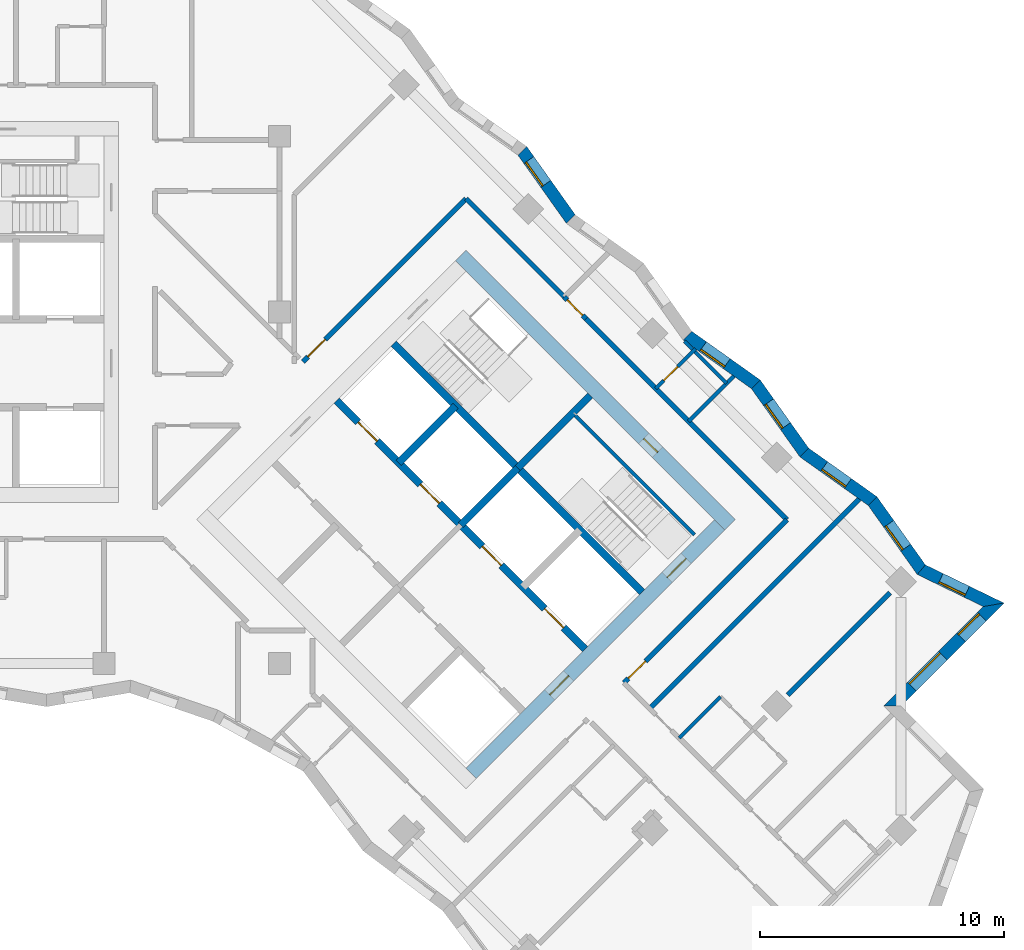
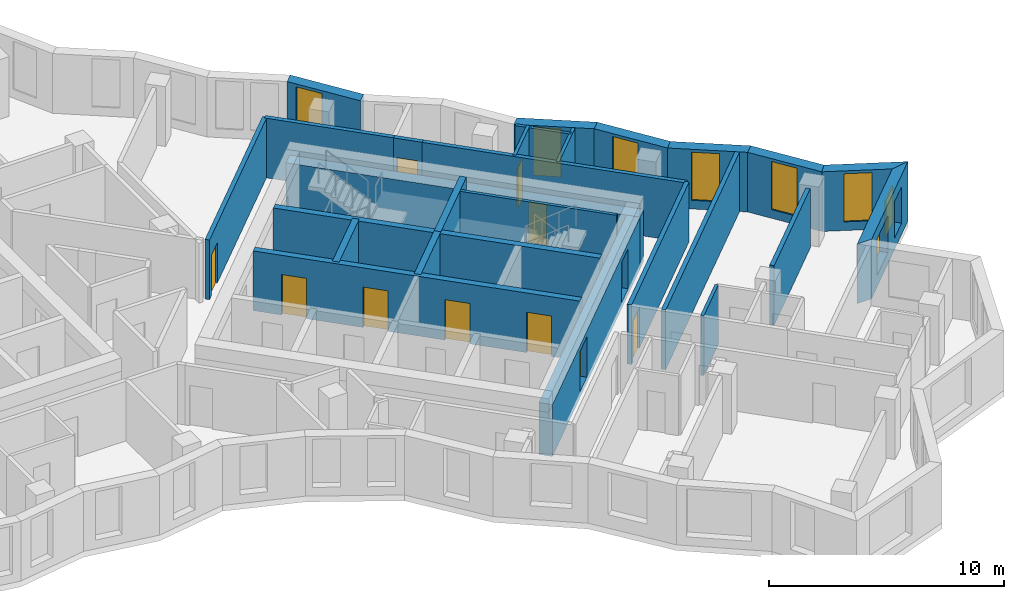
# One storey, part 9 of 12: 27 walls, 11 doors, 8 windows, 19 openings.
"""IFC4 building model written with IfcOpenShell, lengths in metres."""

from ifc_helpers import new_model, si_unit, direction, frame, frame_2d, origin, place, context, subcontext, project, spatial, polyline, rectangle, outline, extrude, material, layer, layer_set, type_object, element, fill, save


model = new_model("IFC4")

# Units and contexts
model_context = context("Model", 3, precision=1e-05, world=origin(), true_north=direction((0.0, 1.0)))
body_context = subcontext(model_context, "Body", "Model", "MODEL_VIEW")
ifc_project = project(units=[si_unit("LENGTHUNIT", "METRE"), si_unit("AREAUNIT", "SQUARE_METRE"), si_unit("VOLUMEUNIT", "CUBIC_METRE"), si_unit("PLANEANGLEUNIT", "RADIAN"), si_unit("MASSUNIT", "GRAM", prefix="KILO")], contexts=[model_context])

# Site, building, storey
site_placement = place(None, origin())
site = spatial("IfcSite", under=ifc_project, at=site_placement, CompositionType="ELEMENT")
building_placement = place(site_placement, origin())
building = spatial("IfcBuilding", under=site, at=building_placement, Name="Windrow Commons", CompositionType="ELEMENT")
storey_placement = place(building_placement, frame((0.0, 0.0, 166.0)))
storey = spatial("IfcBuildingStorey", under=building, at=storey_placement, Name="L45", CompositionType="ELEMENT", Elevation=166.0)

# Wall, openings, windows
ifc_material_1 = material(Name="Brick masonry, red clay brick", Category="masonry")
ifc_layer_1 = layer(ifc_material_1, 0.5)
ifc_layer_set_1 = layer_set([ifc_layer_1], Name="Brick facade wall 500")
wall_type_1 = type_object("IfcWallType", Name="Brick facade wall 500", PredefinedType="SOLIDWALL", material=ifc_layer_set_1)
wall_1_placement = place(storey_placement, frame((104.3022, 41.453, 0.0), z_axis=(0.0, 0.0, 1.0), x_axis=(0.7071238144, 0.7070897476, 0.0)))
wall_1 = element("IfcWall", 1, at=wall_1_placement, inside=storey, type_object=wall_type_1, Name="Brick facade wall L45 6", PredefinedType="SOLIDWALL", context=body_context, shape_type="SweptSolid", body=[
    extrude(outline(polyline([(0.25, -0.25), (6.2221, -0.25), (5.5196, 0.25), (-0.25, 0.25), (0.25, -0.25)])), origin(), (0.0, 0.0, 1.0), 3.1),
])
opening_1_placement = place(wall_1_placement, frame((1.125, 0.0, 0.6)))
opening_1 = element("IfcOpeningElement", 2, at=opening_1_placement, cuts=wall_1, Name="Opening W1L", PredefinedType="OPENING", context=body_context, shape_type="SweptSolid", body=[
    extrude(rectangle(XDim=1.8, YDim=1.9, at=frame_2d((0.9, 0.95))), frame((0.0, 0.26, 0.0), z_axis=(0.0, -1.0, 0.0), x_axis=(1.0, 0.0, 0.0)), (0.0, 0.0, 1.0), 0.52),
])
opening_2_placement = place(wall_1_placement, frame((3.9848, 0.0, 0.6)))
opening_2 = element("IfcOpeningElement", 3, at=opening_2_placement, cuts=wall_1, Name="Opening W7G", PredefinedType="OPENING", context=body_context, shape_type="SweptSolid", body=[
    extrude(rectangle(XDim=1.2, YDim=1.9, at=frame_2d((0.6, 0.95))), frame((0.0, 0.26, 0.0), z_axis=(0.0, -1.0, 0.0), x_axis=(1.0, 0.0, 0.0)), (0.0, 0.0, 1.0), 0.52),
])
ifc_material_2 = material(Name="Clear float glass in anodised aluminium frame", Category="aluminium")
window_type_1 = type_object("IfcWindowType", Name="Window W1L bedroom 1800x1900", PartitioningType="SINGLE_PANEL", PredefinedType="WINDOW", material=ifc_material_2)
window_1_placement = place(opening_1_placement, origin())
window_1 = element("IfcWindow", 4, at=window_1_placement, inside=storey, type_object=window_type_1, Name="Window L45 6.1", OverallHeight=1.9, OverallWidth=1.8, PartitioningType="SINGLE_PANEL", PredefinedType="WINDOW", context=body_context, shape_type="SweptSolid", body=[
    extrude(rectangle(XDim=1.8, YDim=1.9, at=frame_2d((0.9, 0.95))), frame((0.0, 0.18, 0.0), z_axis=(0.0, -1.0, 0.0), x_axis=(1.0, 0.0, 0.0)), (0.0, 0.0, 1.0), 0.06),
])
fill(opening_1, window_1)
ifc_material_3 = material(Name="Clear float glass in anodised aluminium frame", Category="aluminium")
window_type_2 = type_object("IfcWindowType", Name="Window W7 notch 1200x1900", PartitioningType="SINGLE_PANEL", PredefinedType="WINDOW", material=ifc_material_3)
window_2_placement = place(opening_2_placement, origin())
window_2 = element("IfcWindow", 5, at=window_2_placement, inside=storey, type_object=window_type_2, Name="Window L45 6.2", OverallHeight=1.9, OverallWidth=1.2, PartitioningType="SINGLE_PANEL", PredefinedType="WINDOW", context=body_context, shape_type="SweptSolid", body=[
    extrude(rectangle(XDim=1.2, YDim=1.9, at=frame_2d((0.6, 0.95))), frame((0.0, 0.18, 0.0), z_axis=(0.0, -1.0, 0.0), x_axis=(1.0, 0.0, 0.0)), (0.0, 0.0, 1.0), 0.06),
])
fill(opening_2, window_2)

# Wall, opening, window
wall_2_placement = place(storey_placement, frame((108.4536, 45.6042, 0.0), z_axis=(0.0, 0.0, 1.0), x_axis=(-0.8996561364, 0.4365991711, 0.0)))
wall_2 = element("IfcWall", 6, at=wall_2_placement, inside=storey, type_object=wall_type_1, Name="Brick facade wall L45 7", PredefinedType="SOLIDWALL", context=body_context, shape_type="SweptSolid", body=[
    extrude(outline(polyline([(-0.3512, -0.25), (3.228, -0.25), (3.3559, 0.25), (0.3512, 0.25), (-0.3512, -0.25)])), origin(), (0.0, 0.0, 1.0), 3.1),
])
opening_3_placement = place(wall_2_placement, frame((1.2216, 0.0, 0.45)))
opening_3 = element("IfcOpeningElement", 7, at=opening_3_placement, cuts=wall_2, Name="Opening W7E", PredefinedType="OPENING", context=body_context, shape_type="SweptSolid", body=[
    extrude(rectangle(XDim=1.2, YDim=2.5, at=frame_2d((0.6, 1.25))), frame((0.0, 0.26, 0.0), z_axis=(0.0, -1.0, 0.0), x_axis=(1.0, 0.0, 0.0)), (0.0, 0.0, 1.0), 0.52),
])
ifc_material_4 = material(Name="Clear float glass in anodised aluminium frame", Category="aluminium")
window_type_3 = type_object("IfcWindowType", Name="Window W7 notch 1200x2500", PartitioningType="SINGLE_PANEL", PredefinedType="WINDOW", material=ifc_material_4)
window_3_placement = place(opening_3_placement, origin())
window_3 = element("IfcWindow", 8, at=window_3_placement, inside=storey, type_object=window_type_3, Name="Window L45 7.1", OverallHeight=2.5, OverallWidth=1.2, PartitioningType="SINGLE_PANEL", PredefinedType="WINDOW", context=body_context, shape_type="SweptSolid", body=[
    extrude(rectangle(XDim=1.2, YDim=2.5, at=frame_2d((0.6, 1.25))), frame((0.0, 0.18, 0.0), z_axis=(0.0, -1.0, 0.0), x_axis=(1.0, 0.0, 0.0)), (0.0, 0.0, 1.0), 0.06),
])
fill(opening_3, window_3)

wall_3_placement = place(storey_placement, frame((105.4919, 47.0415, 0.0), z_axis=(0.0, 0.0, 1.0), x_axis=(-0.5792714747, 0.8151346874, 0.0)))
wall_3 = element("IfcWall", 9, at=wall_3_placement, inside=storey, type_object=wall_type_1, Name="Brick facade wall L45 8", PredefinedType="SOLIDWALL", context=body_context, shape_type="SweptSolid", body=[
    extrude(outline(polyline([(0.064, -0.25), (3.4939, -0.25), (3.4093, 0.25), (-0.064, 0.25), (0.064, -0.25)])), origin(), (0.0, 0.0, 1.0), 3.1),
])
opening_4_placement = place(wall_3_placement, frame((1.1047, 0.0, 0.45)))
opening_4 = element("IfcOpeningElement", 10, at=opening_4_placement, cuts=wall_3, Name="Opening W7E", PredefinedType="OPENING", context=body_context, shape_type="SweptSolid", body=[
    extrude(rectangle(XDim=1.2, YDim=2.5, at=frame_2d((0.6, 1.25))), frame((0.0, 0.26, 0.0), z_axis=(0.0, -1.0, 0.0), x_axis=(1.0, 0.0, 0.0)), (0.0, 0.0, 1.0), 0.52),
])
window_4_placement = place(opening_4_placement, origin())
window_4 = element("IfcWindow", 11, at=window_4_placement, inside=storey, type_object=window_type_3, Name="Window L45 8.1", OverallHeight=2.5, OverallWidth=1.2, PartitioningType="SINGLE_PANEL", PredefinedType="WINDOW", context=body_context, shape_type="SweptSolid", body=[
    extrude(rectangle(XDim=1.2, YDim=2.5, at=frame_2d((0.6, 1.25))), frame((0.0, 0.18, 0.0), z_axis=(0.0, -1.0, 0.0), x_axis=(1.0, 0.0, 0.0)), (0.0, 0.0, 1.0), 0.06),
])
fill(opening_4, window_4)

wall_4_placement = place(storey_placement, frame((103.4925, 49.855, 0.0), z_axis=(0.0, 0.0, 1.0), x_axis=(-0.8151376585, 0.5792672938, 0.0)))
wall_4 = element("IfcWall", 12, at=wall_4_placement, inside=storey, type_object=wall_type_1, Name="Brick facade wall L45 9", PredefinedType="SOLIDWALL", context=body_context, shape_type="SweptSolid", body=[
    extrude(outline(polyline([(-0.0423, -0.25), (3.3876, -0.25), (3.4722, 0.25), (0.0423, 0.25), (-0.0423, -0.25)])), origin(), (0.0, 0.0, 1.0), 3.1),
])
opening_5_placement = place(wall_4_placement, frame((1.2362, 0.0, 0.45)))
opening_5 = element("IfcOpeningElement", 13, at=opening_5_placement, cuts=wall_4, Name="Opening W7E", PredefinedType="OPENING", context=body_context, shape_type="SweptSolid", body=[
    extrude(rectangle(XDim=1.2, YDim=2.5, at=frame_2d((0.6, 1.25))), frame((0.0, 0.26, 0.0), z_axis=(0.0, -1.0, 0.0), x_axis=(1.0, 0.0, 0.0)), (0.0, 0.0, 1.0), 0.52),
])
window_5_placement = place(opening_5_placement, origin())
window_5 = element("IfcWindow", 14, at=window_5_placement, inside=storey, type_object=window_type_3, Name="Window L45 9.1", OverallHeight=2.5, OverallWidth=1.2, PartitioningType="SINGLE_PANEL", PredefinedType="WINDOW", context=body_context, shape_type="SweptSolid", body=[
    extrude(rectangle(XDim=1.2, YDim=2.5, at=frame_2d((0.6, 1.25))), frame((0.0, 0.18, 0.0), z_axis=(0.0, -1.0, 0.0), x_axis=(1.0, 0.0, 0.0)), (0.0, 0.0, 1.0), 0.06),
])
fill(opening_5, window_5)

wall_5_placement = place(storey_placement, frame((100.6967, 51.8418, 0.0), z_axis=(0.0, 0.0, 1.0), x_axis=(-0.5792728992, 0.8151336751, 0.0)))
wall_5 = element("IfcWall", 15, at=wall_5_placement, inside=storey, type_object=wall_type_1, Name="Brick facade wall L45 10", PredefinedType="SOLIDWALL", context=body_context, shape_type="SweptSolid", body=[
    extrude(outline(polyline([(0.0423, -0.25), (3.4722, -0.25), (3.3876, 0.25), (-0.0423, 0.25), (0.0423, -0.25)])), origin(), (0.0, 0.0, 1.0), 3.1),
])
opening_6_placement = place(wall_5_placement, frame((1.3257, 0.0, 0.45)))
opening_6 = element("IfcOpeningElement", 16, at=opening_6_placement, cuts=wall_5, Name="Opening W7E", PredefinedType="OPENING", context=body_context, shape_type="SweptSolid", body=[
    extrude(rectangle(XDim=1.2, YDim=2.5, at=frame_2d((0.6, 1.25))), frame((0.0, 0.26, 0.0), z_axis=(0.0, -1.0, 0.0), x_axis=(1.0, 0.0, 0.0)), (0.0, 0.0, 1.0), 0.52),
])
window_6_placement = place(opening_6_placement, origin())
window_6 = element("IfcWindow", 17, at=window_6_placement, inside=storey, type_object=window_type_3, Name="Window L45 10.1", OverallHeight=2.5, OverallWidth=1.2, PartitioningType="SINGLE_PANEL", PredefinedType="WINDOW", context=body_context, shape_type="SweptSolid", body=[
    extrude(rectangle(XDim=1.2, YDim=2.5, at=frame_2d((0.6, 1.25))), frame((0.0, 0.18, 0.0), z_axis=(0.0, -1.0, 0.0), x_axis=(1.0, 0.0, 0.0)), (0.0, 0.0, 1.0), 0.06),
])
fill(opening_6, window_6)

wall_6_placement = place(storey_placement, frame((98.7098, 54.6377, 0.0), z_axis=(0.0, 0.0, 1.0), x_axis=(-0.8151376585, 0.5792672938, 0.0)))
wall_6 = element("IfcWall", 18, at=wall_6_placement, inside=storey, type_object=wall_type_1, Name="Brick facade wall L45 11", PredefinedType="SOLIDWALL", context=body_context, shape_type="SweptSolid", body=[
    extrude(outline(polyline([(-0.0423, -0.25), (3.3876, -0.25), (3.4722, 0.25), (0.0423, 0.25), (-0.0423, -0.25)])), origin(), (0.0, 0.0, 1.0), 3.1),
])
opening_7_placement = place(wall_6_placement, frame((1.4574, 0.0, 0.45)))
opening_7 = element("IfcOpeningElement", 19, at=opening_7_placement, cuts=wall_6, Name="Opening W7E", PredefinedType="OPENING", context=body_context, shape_type="SweptSolid", body=[
    extrude(rectangle(XDim=1.2, YDim=2.5, at=frame_2d((0.6, 1.25))), frame((0.0, 0.26, 0.0), z_axis=(0.0, -1.0, 0.0), x_axis=(1.0, 0.0, 0.0)), (0.0, 0.0, 1.0), 0.52),
])
window_7_placement = place(opening_7_placement, origin())
window_7 = element("IfcWindow", 20, at=window_7_placement, inside=storey, type_object=window_type_3, Name="Window L45 11.1", OverallHeight=2.5, OverallWidth=1.2, PartitioningType="SINGLE_PANEL", PredefinedType="WINDOW", context=body_context, shape_type="SweptSolid", body=[
    extrude(rectangle(XDim=1.2, YDim=2.5, at=frame_2d((0.6, 1.25))), frame((0.0, 0.18, 0.0), z_axis=(0.0, -1.0, 0.0), x_axis=(1.0, 0.0, 0.0)), (0.0, 0.0, 1.0), 0.06),
])
fill(opening_7, window_7)

wall_7_placement = place(storey_placement, frame((91.1313, 61.4072, 0.0), z_axis=(0.0, 0.0, 1.0), x_axis=(-0.5792728992, 0.8151336751, 0.0)))
wall_7 = element("IfcWall", 21, at=wall_7_placement, inside=storey, type_object=wall_type_1, Name="Brick facade wall L45 14", PredefinedType="SOLIDWALL", context=body_context, shape_type="SweptSolid", body=[
    extrude(outline(polyline([(0.0423, -0.25), (3.4722, -0.25), (3.3876, 0.25), (-0.0423, 0.25), (0.0423, -0.25)])), origin(), (0.0, 0.0, 1.0), 3.1),
])
opening_8_placement = place(wall_7_placement, frame((1.7681, 0.0, 0.45)))
opening_8 = element("IfcOpeningElement", 22, at=opening_8_placement, cuts=wall_7, Name="Opening W7E", PredefinedType="OPENING", context=body_context, shape_type="SweptSolid", body=[
    extrude(rectangle(XDim=1.2, YDim=2.5, at=frame_2d((0.6, 1.25))), frame((0.0, 0.26, 0.0), z_axis=(0.0, -1.0, 0.0), x_axis=(1.0, 0.0, 0.0)), (0.0, 0.0, 1.0), 0.52),
])
window_8_placement = place(opening_8_placement, origin())
window_8 = element("IfcWindow", 23, at=window_8_placement, inside=storey, type_object=window_type_3, Name="Window L45 14.1", OverallHeight=2.5, OverallWidth=1.2, PartitioningType="SINGLE_PANEL", PredefinedType="WINDOW", context=body_context, shape_type="SweptSolid", body=[
    extrude(rectangle(XDim=1.2, YDim=2.5, at=frame_2d((0.6, 1.25))), frame((0.0, 0.18, 0.0), z_axis=(0.0, -1.0, 0.0), x_axis=(1.0, 0.0, 0.0)), (0.0, 0.0, 1.0), 0.06),
])
fill(opening_8, window_8)

# Wall
ifc_material_5 = material(Name="Blockwork partition", Category="masonry")
ifc_layer_2 = layer(ifc_material_5, 0.2)
ifc_layer_set_2 = layer_set([ifc_layer_2], Name="IW-CORRIDOR-200")
wall_type_2 = type_object("IfcWallType", Name="IW-CORRIDOR-200", PredefinedType="PARTITIONING", material=ifc_layer_set_2)
wall_8_placement = place(storey_placement, frame((91.7551, 57.3171, 0.0), z_axis=(0.0, 0.0, 1.0), x_axis=(0.7071067812, -0.7071067812, 0.0)))
element("IfcWall", 24, at=wall_8_placement, inside=storey, type_object=wall_type_2, Name="W-L45-W007", PredefinedType="PARTITIONING", context=body_context, shape_type="SweptSolid", body=[
    extrude(rectangle(XDim=11.639, YDim=0.2, at=frame_2d((5.8195, 0.0))), origin(), (0.0, 0.0, 1.0), 3.1),
])

# Wall, opening, door
wall_9_placement = place(storey_placement, frame((80.1536, 55.5604, 0.0), z_axis=(0.0, 0.0, 1.0), x_axis=(0.7071067812, 0.7071067812, 0.0)))
wall_9 = element("IfcWall", 25, at=wall_9_placement, inside=storey, type_object=wall_type_2, Name="W-L45-W010", PredefinedType="PARTITIONING", context=body_context, shape_type="SweptSolid", body=[
    extrude(rectangle(XDim=9.4498, YDim=0.2, at=frame_2d((4.7249, 0.0))), origin(), (0.0, 0.0, 1.0), 3.1),
])
opening_9_placement = place(wall_9_placement, frame((0.2916, 0.0, 0.0)))
opening_9 = element("IfcOpeningElement", 26, at=opening_9_placement, cuts=wall_9, Name="Opening D310F", PredefinedType="OPENING", context=body_context, shape_type="SweptSolid", body=[
    extrude(rectangle(XDim=1.0, YDim=2.1, at=frame_2d((0.5, 1.05))), frame((0.0, 0.11, 0.0), z_axis=(0.0, -1.0, 0.0), x_axis=(1.0, 0.0, 0.0)), (0.0, 0.0, 1.0), 0.22),
])
ifc_material_6 = material(Name="Timber door leaf", Category="wood")
door_type_1 = type_object("IfcDoorType", Name="DT-AMENITY-1000", OperationType="SINGLE_SWING_LEFT", PredefinedType="DOOR", material=ifc_material_6)
door_1_placement = place(opening_9_placement, origin())
door_1 = element("IfcDoor", 27, at=door_1_placement, inside=storey, type_object=door_type_1, Name="D-L45-D041", OperationType="SINGLE_SWING_LEFT", OverallHeight=2.1, OverallWidth=1.0, PredefinedType="DOOR", context=body_context, shape_type="SweptSolid", body=[
    extrude(rectangle(XDim=1.0, YDim=2.1, at=frame_2d((0.5, 1.05))), frame((0.0, 0.025, 0.0), z_axis=(0.0, -1.0, 0.0), x_axis=(1.0, 0.0, 0.0)), (0.0, 0.0, 1.0), 0.05),
])
fill(opening_9, door_1)

wall_10_placement = place(storey_placement, frame((93.3058, 42.4082, 0.0), z_axis=(0.0, 0.0, 1.0), x_axis=(0.7071067812, 0.7071067812, 0.0)))
wall_10 = element("IfcWall", 28, at=wall_10_placement, inside=storey, type_object=wall_type_2, Name="W-L45-W011", PredefinedType="PARTITIONING", context=body_context, shape_type="SweptSolid", body=[
    extrude(rectangle(XDim=9.4498, YDim=0.2, at=frame_2d((4.7249, 0.0))), origin(), (0.0, 0.0, 1.0), 3.1),
])
opening_10_placement = place(wall_10_placement, frame((0.2532, 0.0, 0.0)))
opening_10 = element("IfcOpeningElement", 29, at=opening_10_placement, cuts=wall_10, Name="Opening D310F", PredefinedType="OPENING", context=body_context, shape_type="SweptSolid", body=[
    extrude(rectangle(XDim=1.0, YDim=2.1, at=frame_2d((0.5, 1.05))), frame((0.0, 0.11, 0.0), z_axis=(0.0, -1.0, 0.0), x_axis=(1.0, 0.0, 0.0)), (0.0, 0.0, 1.0), 0.22),
])
door_2_placement = place(opening_10_placement, origin())
door_2 = element("IfcDoor", 30, at=door_2_placement, inside=storey, type_object=door_type_1, Name="D-L45-D042", OperationType="SINGLE_SWING_RIGHT", OverallHeight=2.1, OverallWidth=1.0, PredefinedType="DOOR", context=body_context, shape_type="SweptSolid", body=[
    extrude(rectangle(XDim=1.0, YDim=2.1, at=frame_2d((0.5, 1.05))), frame((0.0, 0.025, 0.0), z_axis=(0.0, -1.0, 0.0), x_axis=(1.0, 0.0, 0.0)), (0.0, 0.0, 1.0), 0.05),
])
fill(opening_10, door_2)

# Wall
wall_11_placement = place(storey_placement, frame((86.8412, 62.2452, 0.0), z_axis=(0.0, 0.0, 1.0), x_axis=(0.7071067812, -0.7071067812, 0.0)))
element("IfcWall", 31, at=wall_11_placement, inside=storey, type_object=wall_type_2, Name="W-L45-W033", PredefinedType="PARTITIONING", context=body_context, shape_type="SweptSolid", body=[
    extrude(rectangle(XDim=5.6993, YDim=0.2, at=frame_2d((2.8497, 0.0))), origin(), (0.0, 0.0, 1.0), 3.1),
])

# Wall, opening, door
wall_12_placement = place(storey_placement, frame((90.8671, 58.2111, 0.0), z_axis=(0.0, 0.0, 1.0), x_axis=(0.706312726, -0.7078999456, 0.0)))
wall_12 = element("IfcWall", 32, at=wall_12_placement, inside=storey, type_object=wall_type_2, Name="W-L45-W129", PredefinedType="PARTITIONING", context=body_context, shape_type="SweptSolid", body=[
    extrude(rectangle(XDim=1.2601, YDim=0.2, at=frame_2d((0.63, 0.0))), origin(), (0.0, 0.0, 1.0), 3.1),
])
opening_11_placement = place(wall_12_placement, frame((0.1624, 0.0, 0.0)))
opening_11 = element("IfcOpeningElement", 33, at=opening_11_placement, cuts=wall_12, Name="Opening D109S", PredefinedType="OPENING", context=body_context, shape_type="SweptSolid", body=[
    extrude(rectangle(XDim=0.9, YDim=2.1, at=frame_2d((0.45, 1.05))), frame((0.0, 0.11, 0.0), z_axis=(0.0, -1.0, 0.0), x_axis=(1.0, 0.0, 0.0)), (0.0, 0.0, 1.0), 0.22),
])
ifc_material_7 = material(Name="Timber door leaf", Category="wood")
door_type_2 = type_object("IfcDoorType", Name="DT-BEDROOM-900", OperationType="SINGLE_SWING_LEFT", PredefinedType="DOOR", material=ifc_material_7)
door_3_placement = place(opening_11_placement, origin())
door_3 = element("IfcDoor", 34, at=door_3_placement, inside=storey, type_object=door_type_2, Name="D-L45-D047", OperationType="SINGLE_SWING_RIGHT", OverallHeight=2.1, OverallWidth=0.9, PredefinedType="DOOR", context=body_context, shape_type="SweptSolid", body=[
    extrude(rectangle(XDim=0.9, YDim=2.1, at=frame_2d((0.45, 1.05))), frame((0.0, 0.025, 0.0), z_axis=(0.0, -1.0, 0.0), x_axis=(1.0, 0.0, 0.0)), (0.0, 0.0, 1.0), 0.05),
])
fill(opening_11, door_3)

# Walls
ifc_material_8 = material(Name="Blockwork partition", Category="masonry")
ifc_layer_3 = layer(ifc_material_8, 0.15)
ifc_layer_set_3 = layer_set([ifc_layer_3], Name="IW-ENSUITE-150")
wall_type_3 = type_object("IfcWallType", Name="IW-ENSUITE-150", PredefinedType="PARTITIONING", material=ifc_layer_set_3)
wall_13_placement = place(storey_placement, frame((95.9573, 53.1207, 0.0), z_axis=(0.0, 0.0, 1.0), x_axis=(0.7070876797, 0.7071258821, 0.0)))
element("IfcWall", 35, at=wall_13_placement, inside=storey, type_object=wall_type_3, Name="W-L45-W064", PredefinedType="PARTITIONING", context=body_context, shape_type="SweptSolid", body=[
    extrude(rectangle(XDim=2.6176, YDim=0.15, at=frame_2d((1.3088, 0.0))), origin(), (0.0, 0.0, 1.0), 3.1),
])
wall_14_placement = place(storey_placement, frame((95.7824, 56.4011, 0.0), z_axis=(0.0, 0.0, 1.0), x_axis=(0.707127237, -0.7070863248, 0.0)))
element("IfcWall", 36, at=wall_14_placement, inside=storey, type_object=wall_type_3, Name="W-L45-W068", PredefinedType="PARTITIONING", context=body_context, shape_type="SweptSolid", body=[
    extrude(rectangle(XDim=2.4443, YDim=0.15, at=frame_2d((1.2222, 0.0))), origin(), (0.0, 0.0, 1.0), 3.1),
])
wall_15_placement = place(storey_placement, frame((95.571, 40.143, 0.0), z_axis=(0.0, 0.0, 1.0), x_axis=(0.706689978, 0.7075233388, 0.0)))
element("IfcWall", 37, at=wall_15_placement, inside=storey, type_object=wall_type_3, Name="W-L45-W093", PredefinedType="PARTITIONING", context=body_context, shape_type="SweptSolid", body=[
    extrude(rectangle(XDim=2.3999, YDim=0.15, at=frame_2d((1.2, 0.0))), origin(), (0.0, 0.0, 1.0), 3.1),
])

# Wall, opening, door
wall_16_placement = place(storey_placement, frame((94.6138, 54.4642, 0.0), z_axis=(0.0, 0.0, 1.0), x_axis=(0.7071067812, 0.7071067812, 0.0)))
wall_16 = element("IfcWall", 38, at=wall_16_placement, inside=storey, type_object=wall_type_3, Name="W-L45-W108", PredefinedType="PARTITIONING", context=body_context, shape_type="SweptSolid", body=[
    extrude(rectangle(XDim=2.2963, YDim=0.15, at=frame_2d((1.1482, 0.0))), origin(), (0.0, 0.0, 1.0), 3.1),
])
opening_12_placement = place(wall_16_placement, frame((0.4662, 0.0, 0.0)))
opening_12 = element("IfcOpeningElement", 39, at=opening_12_placement, cuts=wall_16, Name="Opening D208N", PredefinedType="OPENING", context=body_context, shape_type="SweptSolid", body=[
    extrude(rectangle(XDim=0.8, YDim=2.1, at=frame_2d((0.4, 1.05))), frame((0.0, 0.085, 0.0), z_axis=(0.0, -1.0, 0.0), x_axis=(1.0, 0.0, 0.0)), (0.0, 0.0, 1.0), 0.17),
])
ifc_material_9 = material(Name="Timber door leaf", Category="wood")
door_type_3 = type_object("IfcDoorType", Name="DT-ENSUITE-800", OperationType="SINGLE_SWING_LEFT", PredefinedType="DOOR", material=ifc_material_9)
door_4_placement = place(opening_12_placement, origin())
door_4 = element("IfcDoor", 40, at=door_4_placement, inside=storey, type_object=door_type_3, Name="D-L45-D048", OperationType="SINGLE_SWING_RIGHT", OverallHeight=2.1, OverallWidth=0.8, PredefinedType="DOOR", context=body_context, shape_type="SweptSolid", body=[
    extrude(rectangle(XDim=0.8, YDim=2.1, at=frame_2d((0.4, 1.05))), frame((0.0, 0.025, 0.0), z_axis=(0.0, -1.0, 0.0), x_axis=(1.0, 0.0, 0.0)), (0.0, 0.0, 1.0), 0.05),
])
fill(opening_12, door_4)

# Walls
ifc_material_10 = material(Name="Blockwork partition", Category="masonry")
ifc_layer_4 = layer(ifc_material_10, 0.2)
ifc_layer_set_4 = layer_set([ifc_layer_4], Name="IW-PARTY-200")
wall_type_4 = type_object("IfcWallType", Name="IW-PARTY-200", PredefinedType="PARTITIONING", material=ifc_layer_set_4)
wall_17_placement = place(storey_placement, frame((94.3664, 41.3476, 0.0), z_axis=(0.0, 0.0, 1.0), x_axis=(0.7071108994, 0.707102663, 0.0)))
element("IfcWall", 41, at=wall_17_placement, inside=storey, type_object=wall_type_4, Name="W-L45-W006", PredefinedType="PARTITIONING", context=body_context, shape_type="SweptSolid", body=[
    extrude(rectangle(XDim=12.1412, YDim=0.2, at=frame_2d((6.0706, 0.0))), origin(), (0.0, 0.0, 1.0), 3.1),
])
wall_18_placement = place(storey_placement, frame((100.0168, 41.9012, 0.0), z_axis=(0.0, 0.0, 1.0), x_axis=(0.7072754814, 0.7069380408, 0.0)))
element("IfcWall", 42, at=wall_18_placement, inside=storey, type_object=wall_type_4, Name="W-L45-W028", PredefinedType="PARTITIONING", context=body_context, shape_type="SweptSolid", body=[
    extrude(rectangle(XDim=5.927, YDim=0.2, at=frame_2d((2.9635, 0.0))), origin(), (0.0, 0.0, 1.0), 3.1),
])

# Wall, opening, door
ifc_material_11 = material(Name="Concrete C50/60", Category="concrete")
ifc_layer_5 = layer(ifc_material_11, 0.6)
ifc_layer_set_5 = layer_set([ifc_layer_5], Name="RC CORE WALL 600 C50/60")
wall_type_5 = type_object("IfcWallType", Name="RC CORE WALL 600 C50/60", PredefinedType="SHEAR", material=ifc_layer_set_5)
wall_19_placement = place(storey_placement, frame((86.6246, 59.9085, -0.3), z_axis=(0.0, 0.0, 1.0), x_axis=(0.7071067812, -0.7071067812, 0.0)))
wall_19 = element("IfcWall", 43, at=wall_19_placement, inside=storey, type_object=wall_type_5, Name="Core B wall outer-N", PredefinedType="SHEAR", context=body_context, shape_type="SweptSolid", body=[
    extrude(rectangle(XDim=15.6, YDim=0.6, at=frame_2d((7.8, 0.0))), origin(), (0.0, 0.0, 1.0), 2.7),
])
opening_13_placement = place(wall_19_placement, frame((10.6, 0.0, 0.3)))
opening_13 = element("IfcOpeningElement", 44, at=opening_13_placement, cuts=wall_19, Name="Opening D9", PredefinedType="OPENING", context=body_context, shape_type="SweptSolid", body=[
    extrude(rectangle(XDim=0.8, YDim=2.1, at=frame_2d((0.4, 1.05))), frame((0.0, 0.31, 0.0), z_axis=(0.0, -1.0, 0.0), x_axis=(1.0, 0.0, 0.0)), (0.0, 0.0, 1.0), 0.62),
])
ifc_material_12 = material(Name="Steel fire door leaf", Category="steel")
door_type_4 = type_object("IfcDoorType", Name="Riser access door 800", OperationType="SINGLE_SWING_LEFT", PredefinedType="DOOR", material=ifc_material_12)
door_5_placement = place(opening_13_placement, origin())
door_5 = element("IfcDoor", 45, at=door_5_placement, inside=storey, type_object=door_type_4, Name="Riser access door", OperationType="SINGLE_SWING_RIGHT", OverallHeight=2.1, OverallWidth=0.8, PredefinedType="DOOR", context=body_context, shape_type="SweptSolid", body=[
    extrude(rectangle(XDim=0.8, YDim=2.1, at=frame_2d((0.4, 1.05))), frame((0.0, 0.025, 0.0), z_axis=(0.0, -1.0, 0.0), x_axis=(1.0, 0.0, 0.0)), (0.0, 0.0, 1.0), 0.05),
])
fill(opening_13, door_5)

# Wall, openings, doors
wall_20_placement = place(storey_placement, frame((87.0489, 38.6953, -0.3), z_axis=(0.0, 0.0, 1.0), x_axis=(0.7071067812, 0.7071067812, 0.0)))
wall_20 = element("IfcWall", 46, at=wall_20_placement, inside=storey, type_object=wall_type_5, Name="Core B wall outer-E", PredefinedType="SHEAR", context=body_context, shape_type="SweptSolid", body=[
    extrude(rectangle(XDim=14.3999, YDim=0.6, at=frame_2d((7.2, 0.0))), origin(), (0.0, 0.0, 1.0), 2.7),
])
opening_14_placement = place(wall_20_placement, frame((4.55, 0.0, 0.3)))
opening_14 = element("IfcOpeningElement", 47, at=opening_14_placement, cuts=wall_20, Name="Opening D6", PredefinedType="OPENING", context=body_context, shape_type="SweptSolid", body=[
    extrude(rectangle(XDim=1.1, YDim=2.1, at=frame_2d((0.55, 1.05))), frame((0.0, 0.31, 0.0), z_axis=(0.0, -1.0, 0.0), x_axis=(1.0, 0.0, 0.0)), (0.0, 0.0, 1.0), 0.62),
])
opening_15_placement = place(wall_20_placement, frame((11.35, 0.0, 0.3)))
opening_15 = element("IfcOpeningElement", 48, at=opening_15_placement, cuts=wall_20, Name="Opening D7", PredefinedType="OPENING", context=body_context, shape_type="SweptSolid", body=[
    extrude(rectangle(XDim=1.1, YDim=2.1, at=frame_2d((0.55, 1.05))), frame((0.0, 0.31, 0.0), z_axis=(0.0, -1.0, 0.0), x_axis=(1.0, 0.0, 0.0)), (0.0, 0.0, 1.0), 0.62),
])
ifc_material_13 = material(Name="Steel fire door leaf", Category="steel")
door_type_5 = type_object("IfcDoorType", Name="Core lobby door 1100", OperationType="SINGLE_SWING_LEFT", PredefinedType="DOOR", material=ifc_material_13)
door_6_placement = place(opening_14_placement, origin())
door_6 = element("IfcDoor", 49, at=door_6_placement, inside=storey, type_object=door_type_5, Name="Lift lobby door", OperationType="DOUBLE_DOOR_SINGLE_SWING", OverallHeight=2.1, OverallWidth=1.1, PredefinedType="DOOR", context=body_context, shape_type="SweptSolid", body=[
    extrude(rectangle(XDim=1.1, YDim=2.1, at=frame_2d((0.55, 1.05))), frame((0.0, 0.025, 0.0), z_axis=(0.0, -1.0, 0.0), x_axis=(1.0, 0.0, 0.0)), (0.0, 0.0, 1.0), 0.05),
])
fill(opening_14, door_6)
ifc_material_14 = material(Name="Steel fire door leaf", Category="steel")
door_type_6 = type_object("IfcDoorType", Name="Stair door 1100", OperationType="SINGLE_SWING_LEFT", PredefinedType="DOOR", material=ifc_material_14)
door_7_placement = place(opening_15_placement, origin())
door_7 = element("IfcDoor", 50, at=door_7_placement, inside=storey, type_object=door_type_6, Name="Stair door", OperationType="SINGLE_SWING_RIGHT", OverallHeight=2.1, OverallWidth=1.1, PredefinedType="DOOR", context=body_context, shape_type="SweptSolid", body=[
    extrude(rectangle(XDim=1.1, YDim=2.1, at=frame_2d((0.55, 1.05))), frame((0.0, 0.025, 0.0), z_axis=(0.0, -1.0, 0.0), x_axis=(1.0, 0.0, 0.0)), (0.0, 0.0, 1.0), 0.05),
])
fill(opening_15, door_7)

# Walls
ifc_material_15 = material(Name="Concrete C50/60", Category="concrete")
ifc_layer_6 = layer(ifc_material_15, 0.3)
ifc_layer_set_6 = layer_set([ifc_layer_6], Name="RC SHAFT WALL 300 C50/60")
wall_type_6 = type_object("IfcWallType", Name="RC SHAFT WALL 300 C50/60", PredefinedType="SOLIDWALL", material=ifc_layer_set_6)
wall_21_placement = place(storey_placement, frame((84.079, 51.4232, 0.0), z_axis=(0.0, 0.0, 1.0), x_axis=(0.7071219326, 0.7070916295, 0.0)))
element("IfcWall", 51, at=wall_21_placement, inside=storey, type_object=wall_type_6, Name="Core B wall shaft-N1", PredefinedType="SOLIDWALL", context=body_context, shape_type="SweptSolid", body=[
    extrude(rectangle(XDim=3.3, YDim=0.3, at=frame_2d((1.65, 0.0))), origin(), (0.0, 0.0, 1.0), 3.1),
])
wall_22_placement = place(storey_placement, frame((86.6246, 48.8776, 0.0), z_axis=(0.0, 0.0, 1.0), x_axis=(0.7071067812, 0.7071067812, 0.0)))
element("IfcWall", 52, at=wall_22_placement, inside=storey, type_object=wall_type_6, Name="Core B wall shaft-N2", PredefinedType="SOLIDWALL", context=body_context, shape_type="SweptSolid", body=[
    extrude(rectangle(XDim=3.3001, YDim=0.3, at=frame_2d((1.6501, 0.0))), origin(), (0.0, 0.0, 1.0), 3.1),
])

# Wall, openings, doors
wall_23_placement = place(storey_placement, frame((81.5335, 53.9688, 0.0), z_axis=(0.0, 0.0, 1.0), x_axis=(0.707103309, -0.7071102534, 0.0)))
wall_23 = element("IfcWall", 53, at=wall_23_placement, inside=storey, type_object=wall_type_6, Name="Core B wall lobby-N", PredefinedType="SOLIDWALL", context=body_context, shape_type="SweptSolid", body=[
    extrude(rectangle(XDim=14.4, YDim=0.3, at=frame_2d((7.2, 0.0))), origin(), (0.0, 0.0, 1.0), 3.1),
])
opening_16_placement = place(wall_23_placement, frame((1.25, 0.0, 0.0)))
opening_16 = element("IfcOpeningElement", 54, at=opening_16_placement, cuts=wall_23, Name="Opening LD", PredefinedType="OPENING", context=body_context, shape_type="SweptSolid", body=[
    extrude(rectangle(XDim=1.1, YDim=2.1, at=frame_2d((0.55, 1.05))), frame((0.0, 0.16, 0.0), z_axis=(0.0, -1.0, 0.0), x_axis=(1.0, 0.0, 0.0)), (0.0, 0.0, 1.0), 0.32),
])
opening_17_placement = place(wall_23_placement, frame((4.85, 0.0, 0.0)))
opening_17 = element("IfcOpeningElement", 55, at=opening_17_placement, cuts=wall_23, Name="Opening LD", PredefinedType="OPENING", context=body_context, shape_type="SweptSolid", body=[
    extrude(rectangle(XDim=1.1, YDim=2.1, at=frame_2d((0.55, 1.05))), frame((0.0, 0.16, 0.0), z_axis=(0.0, -1.0, 0.0), x_axis=(1.0, 0.0, 0.0)), (0.0, 0.0, 1.0), 0.32),
])
opening_18_placement = place(wall_23_placement, frame((8.45, 0.0, 0.0)))
opening_18 = element("IfcOpeningElement", 56, at=opening_18_placement, cuts=wall_23, Name="Opening LD", PredefinedType="OPENING", context=body_context, shape_type="SweptSolid", body=[
    extrude(rectangle(XDim=1.1, YDim=2.1, at=frame_2d((0.55, 1.05))), frame((0.0, 0.16, 0.0), z_axis=(0.0, -1.0, 0.0), x_axis=(1.0, 0.0, 0.0)), (0.0, 0.0, 1.0), 0.32),
])
opening_19_placement = place(wall_23_placement, frame((12.05, 0.0, 0.0)))
opening_19 = element("IfcOpeningElement", 57, at=opening_19_placement, cuts=wall_23, Name="Opening LD", PredefinedType="OPENING", context=body_context, shape_type="SweptSolid", body=[
    extrude(rectangle(XDim=1.1, YDim=2.1, at=frame_2d((0.55, 1.05))), frame((0.0, 0.16, 0.0), z_axis=(0.0, -1.0, 0.0), x_axis=(1.0, 0.0, 0.0)), (0.0, 0.0, 1.0), 0.32),
])
ifc_material_16 = material(Name="Stainless steel door leaf", Category="steel")
door_type_7 = type_object("IfcDoorType", Name="Lift landing door 1100", OperationType="SLIDING_TO_LEFT", PredefinedType="DOOR", material=ifc_material_16)
door_8_placement = place(opening_16_placement, origin())
door_8 = element("IfcDoor", 58, at=door_8_placement, inside=storey, type_object=door_type_7, Name="Lift landing door", OperationType="SLIDING_TO_LEFT", OverallHeight=2.1, OverallWidth=1.1, PredefinedType="DOOR", context=body_context, shape_type="SweptSolid", body=[
    extrude(rectangle(XDim=1.1, YDim=2.1, at=frame_2d((0.55, 1.05))), frame((0.0, 0.025, 0.0), z_axis=(0.0, -1.0, 0.0), x_axis=(1.0, 0.0, 0.0)), (0.0, 0.0, 1.0), 0.05),
])
fill(opening_16, door_8)
door_9_placement = place(opening_17_placement, origin())
door_9 = element("IfcDoor", 59, at=door_9_placement, inside=storey, type_object=door_type_7, Name="Lift landing door", OperationType="SLIDING_TO_RIGHT", OverallHeight=2.1, OverallWidth=1.1, PredefinedType="DOOR", context=body_context, shape_type="SweptSolid", body=[
    extrude(rectangle(XDim=1.1, YDim=2.1, at=frame_2d((0.55, 1.05))), frame((0.0, 0.025, 0.0), z_axis=(0.0, -1.0, 0.0), x_axis=(1.0, 0.0, 0.0)), (0.0, 0.0, 1.0), 0.05),
])
fill(opening_17, door_9)
door_10_placement = place(opening_18_placement, origin())
door_10 = element("IfcDoor", 60, at=door_10_placement, inside=storey, type_object=door_type_7, Name="Lift landing door", OperationType="SLIDING_TO_LEFT", OverallHeight=2.1, OverallWidth=1.1, PredefinedType="DOOR", context=body_context, shape_type="SweptSolid", body=[
    extrude(rectangle(XDim=1.1, YDim=2.1, at=frame_2d((0.55, 1.05))), frame((0.0, 0.025, 0.0), z_axis=(0.0, -1.0, 0.0), x_axis=(1.0, 0.0, 0.0)), (0.0, 0.0, 1.0), 0.05),
])
fill(opening_18, door_10)
door_11_placement = place(opening_19_placement, origin())
door_11 = element("IfcDoor", 61, at=door_11_placement, inside=storey, type_object=door_type_7, Name="Lift landing door", OperationType="SLIDING_TO_RIGHT", OverallHeight=2.1, OverallWidth=1.1, PredefinedType="DOOR", context=body_context, shape_type="SweptSolid", body=[
    extrude(rectangle(XDim=1.1, YDim=2.1, at=frame_2d((0.55, 1.05))), frame((0.0, 0.025, 0.0), z_axis=(0.0, -1.0, 0.0), x_axis=(1.0, 0.0, 0.0)), (0.0, 0.0, 1.0), 0.05),
])
fill(opening_19, door_11)

# Walls
for number, where, z_axis, x_axis, name in (
    (62, (83.8669, 56.3022, 0.0), (0.0, 0.0, 1.0), (0.7071137256, -0.7070998367, 0.0), "Core B wall stair-S"),
    (63, (88.9581, 51.2111, 0.0), (0.0, 0.0, 1.0), (0.7070998367, -0.7071137256, 0.0), "Core B wall stair-S2"),
):
    element("IfcWall", number, at=place(storey_placement, frame(where, z_axis=z_axis, x_axis=x_axis)), inside=storey, type_object=wall_type_6, Name=name, PredefinedType="SOLIDWALL", context=body_context, shape_type="SweptSolid", body=[
        extrude(rectangle(XDim=7.2, YDim=0.3, at=frame_2d((3.6, 0.0))), origin(), (0.0, 0.0, 1.0), 3.1),
    ])
wall_24_placement = place(storey_placement, frame((88.9581, 51.2111, 0.0), z_axis=(0.0, 0.0, 1.0), x_axis=(0.7071067812, 0.7071067812, 0.0)))
element("IfcWall", 64, at=wall_24_placement, inside=storey, type_object=wall_type_6, Name="Core B wall stair-mid", PredefinedType="SOLIDWALL", context=body_context, shape_type="SweptSolid", body=[
    extrude(rectangle(XDim=4.1999, YDim=0.3, at=frame_2d((2.1, 0.0))), origin(), (0.0, 0.0, 1.0), 3.1),
])
ifc_material_17 = material(Name="Blockwork partition", Category="masonry")
ifc_layer_7 = layer(ifc_material_17, 0.15)
ifc_layer_set_7 = layer_set([ifc_layer_7], Name="Riser partition 150")
wall_type_7 = type_object("IfcWallType", Name="Riser partition 150", PredefinedType="PARTITIONING", material=ifc_layer_set_7)
wall_25_placement = place(storey_placement, frame((91.3127, 53.3536, 0.0), z_axis=(0.0, 0.0, 1.0), x_axis=(0.7071140275, -0.7070995348, 0.0)))
element("IfcWall", 65, at=wall_25_placement, inside=storey, type_object=wall_type_7, Name="W-core-strip-B-L45", PredefinedType="PARTITIONING", context=body_context, shape_type="SweptSolid", body=[
    extrude(rectangle(XDim=6.9, YDim=0.15, at=frame_2d((3.45, 0.0))), origin(), (0.0, 0.0, 1.0), 3.1),
])

save(model, "model.ifc")
